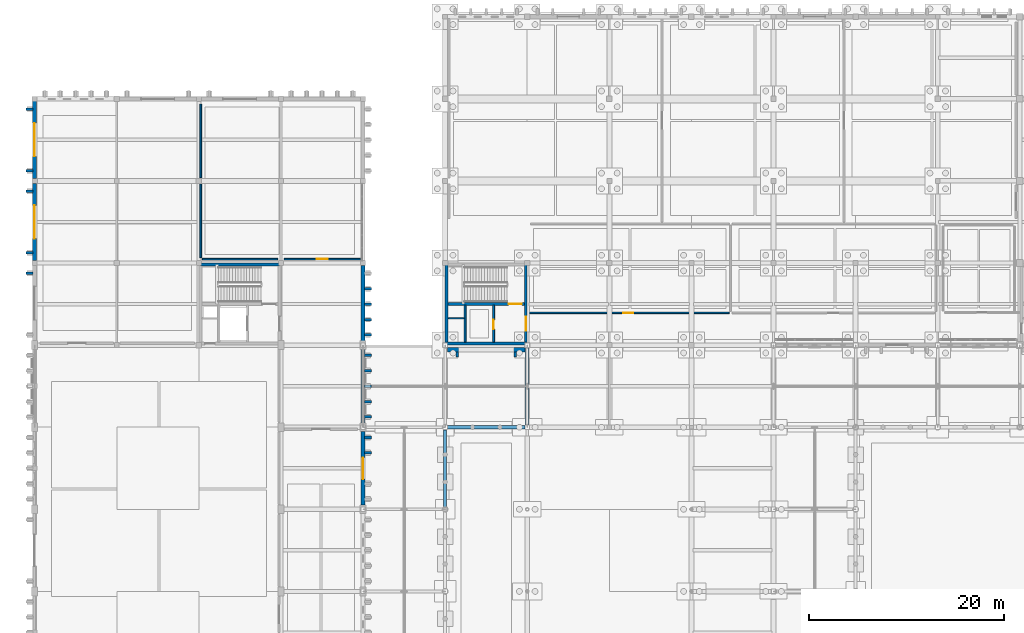
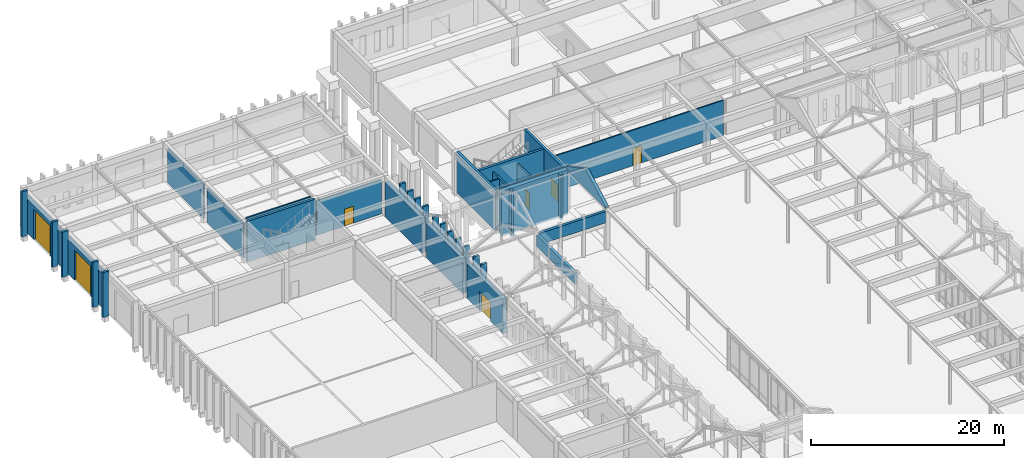
# One storey, part 116 of 143: 40 walls, 8 doors, 8 openings.
"""IFC4 building model written with IfcOpenShell, lengths in metres."""

from ifc_helpers import new_model, si_unit, direction, frame, frame_2d, origin, place, context, subcontext, project, spatial, polyline, rectangle, outline, extrude, material, layer, layer_set, type_object, element, fill, save


model = new_model("IFC4")

# Units and contexts
model_context = context("Model", 3, precision=1e-05, world=origin(), true_north=direction((0.0, 1.0)))
body_context = subcontext(model_context, "Body", "Model", "MODEL_VIEW")
ifc_project = project(units=[si_unit("LENGTHUNIT", "METRE"), si_unit("AREAUNIT", "SQUARE_METRE"), si_unit("VOLUMEUNIT", "CUBIC_METRE"), si_unit("PLANEANGLEUNIT", "RADIAN"), si_unit("MASSUNIT", "GRAM", prefix="KILO")], contexts=[model_context])

# Site, building, storey
site_placement = place(None, origin())
site = spatial("IfcSite", under=ifc_project, at=site_placement, CompositionType="ELEMENT")
building_placement = place(site_placement, origin())
building = spatial("IfcBuilding", under=site, at=building_placement, Name="Kveldsbrygga Polytechnic", CompositionType="ELEMENT")
storey_placement = place(building_placement, origin())
storey = spatial("IfcBuildingStorey", under=building, at=storey_placement, Name="L00", CompositionType="ELEMENT", Elevation=0.0)

# Walls
ifc_material_1 = material(Name="Fired clay brick masonry M10", Category="masonry")
ifc_layer_1 = layer(ifc_material_1, 0.320068359375)
ifc_layer_set_1 = layer_set([ifc_layer_1], Name="Fired clay brick masonry M10")
wall_type_1 = type_object("IfcWallType", Name="EW-ARC-320", PredefinedType="SOLIDWALL", material=ifc_layer_set_1)
wall_1_placement = place(storey_placement, frame((42.260009765625, 75.60009765625, 3.455078125), z_axis=(0.0, 0.0, 1.0), x_axis=(1.0, 0.0, 0.0)))
element("IfcWall", 1, at=wall_1_placement, inside=storey, type_object=wall_type_1, Name="Cloister Arcade Brick Arch Header ARC-HDR-02", PredefinedType="SOLIDWALL", context=body_context, shape_type="SweptSolid", body=[
    extrude(rectangle(XDim=7.9150390625, YDim=0.320068359375, at=frame_2d((3.95751953125, 0.0))), origin(), (0.0, 0.0, 1.0), 1.4248046875),
])
wall_2_placement = place(storey_placement, frame((42.0, 67.39501953125, 3.455078125), z_axis=(0.0, 0.0, 1.0), x_axis=(0.0, 1.0, 0.0)))
element("IfcWall", 2, at=wall_2_placement, inside=storey, type_object=wall_type_1, Name="Cloister Arcade Brick Arch Header ARC-HDR-07", PredefinedType="SOLIDWALL", context=body_context, shape_type="SweptSolid", body=[
    extrude(rectangle(XDim=7.945068359375, YDim=0.320068359375, at=frame_2d((3.97265625, 0.0))), origin(), (0.0, 0.0, 1.0), 1.4248046875),
])
ifc_layer_2 = layer(ifc_material_1, 0.47998046875)
ifc_layer_set_2 = layer_set([ifc_layer_2], Name="Fired clay brick masonry M10")
wall_type_2 = type_object("IfcWallType", Name="EW-BAST-480", PredefinedType="SOLIDWALL", material=ifc_layer_set_2)
wall_3_placement = place(storey_placement, frame((42.239990234375, 83.52001953125, -0.25), z_axis=(0.0, 0.0, 1.0), x_axis=(1.0, 0.0, 0.0)))
element("IfcWall", 3, at=wall_3_placement, inside=storey, type_object=wall_type_2, Name="Corner Stair Bastion Wall BAST-L00-X-05-10", PredefinedType="SOLIDWALL", context=body_context, shape_type="SweptSolid", body=[
    extrude(rectangle(XDim=7.919921875, YDim=0.47998046875, at=frame_2d((3.9599609375, 0.0))), origin(), (0.0, 0.0, 1.0), 5.68994140625),
])

# Wall, opening, door
ifc_layer_3 = layer(ifc_material_1, 0.419921875)
ifc_layer_set_3 = layer_set([ifc_layer_3], Name="Fired clay brick masonry M10")
wall_type_3 = type_object("IfcWallType", Name="EW-BRICK-420", PredefinedType="SOLIDWALL", material=ifc_layer_set_3)
wall_4_placement = place(storey_placement, frame((0.0, 92.64501953125, 0.0), z_axis=(0.0, 0.0, 1.0), x_axis=(0.0, 1.0, 0.0)))
wall_4 = element("IfcWall", 4, at=wall_4_placement, inside=storey, type_object=wall_type_3, Name="Exterior Brick Wall EW-L00-Y-00-11", PredefinedType="SOLIDWALL", context=body_context, shape_type="SweptSolid", body=[
    extrude(rectangle(XDim=7.89501953125, YDim=0.419921875, at=frame_2d((3.947509765625, 0.0))), origin(), (0.0, 0.0, 1.0), 4.35009765625),
])
opening_1_placement = place(wall_4_placement, frame((2.24755859375, 0.0, 0.0)))
opening_1 = element("IfcOpeningElement", 5, at=opening_1_placement, cuts=wall_4, Name="Opening WG-04", PredefinedType="OPENING", context=body_context, shape_type="SweptSolid", body=[
    extrude(rectangle(XDim=3.39990234375, YDim=3.800048828125, at=frame_2d((1.699951171875, 1.89990234375))), frame((0.0, 0.219970703125, 0.0), z_axis=(0.0, -1.0, 0.0), x_axis=(1.0, 0.0, 0.0)), (0.0, 0.0, 1.0), 0.43994140625),
])
ifc_material_2 = material(Name="Anodised aluminium AW-6060", Category="aluminium")
door_type_1 = type_object("IfcDoorType", Name="GT-LOAD-340x380", OperationType="DOUBLE_DOOR_SINGLE_SWING", PredefinedType="GATE", material=ifc_material_2)
door_1_placement = place(opening_1_placement, origin())
door_1 = element("IfcDoor", 6, at=door_1_placement, inside=storey, type_object=door_type_1, Name="Workshop Industrial Gate WG-04", OperationType="DOUBLE_DOOR_SINGLE_SWING", OverallHeight=3.800048828125, OverallWidth=3.39990234375, PredefinedType="GATE", context=body_context, shape_type="SweptSolid", body=[
    extrude(rectangle(XDim=3.39990234375, YDim=3.800048828125, at=frame_2d((1.699951171875, 1.89990234375))), frame((0.0, 0.02490234375, 0.0), z_axis=(0.0, -1.0, 0.0), x_axis=(1.0, 0.0, 0.0)), (0.0, 0.0, 1.0), 0.050048828125),
])
fill(opening_1, door_1)

wall_5_placement = place(storey_placement, frame((0.0, 101.06005859375, 0.0), z_axis=(0.0, 0.0, 1.0), x_axis=(0.0, 1.0, 0.0)))
wall_5 = element("IfcWall", 7, at=wall_5_placement, inside=storey, type_object=wall_type_3, Name="Exterior Brick Wall EW-L00-Y-00-12", PredefinedType="SOLIDWALL", context=body_context, shape_type="SweptSolid", body=[
    extrude(rectangle(XDim=7.89501953125, YDim=0.419921875, at=frame_2d((3.947509765625, 0.0))), origin(), (0.0, 0.0, 1.0), 4.35009765625),
])
opening_2_placement = place(wall_5_placement, frame((2.24755859375, 0.0, 0.0)))
opening_2 = element("IfcOpeningElement", 8, at=opening_2_placement, cuts=wall_5, Name="Opening WG-05", PredefinedType="OPENING", context=body_context, shape_type="SweptSolid", body=[
    extrude(rectangle(XDim=3.39990234375, YDim=3.800048828125, at=frame_2d((1.699951171875, 1.89990234375))), frame((0.0, 0.219970703125, 0.0), z_axis=(0.0, -1.0, 0.0), x_axis=(1.0, 0.0, 0.0)), (0.0, 0.0, 1.0), 0.43994140625),
])
door_2_placement = place(opening_2_placement, origin())
door_2 = element("IfcDoor", 9, at=door_2_placement, inside=storey, type_object=door_type_1, Name="Workshop Industrial Gate WG-05", OperationType="DOUBLE_DOOR_SINGLE_SWING", OverallHeight=3.800048828125, OverallWidth=3.39990234375, PredefinedType="GATE", context=body_context, shape_type="SweptSolid", body=[
    extrude(rectangle(XDim=3.39990234375, YDim=3.800048828125, at=frame_2d((1.699951171875, 1.89990234375))), frame((0.0, 0.02490234375, 0.0), z_axis=(0.0, -1.0, 0.0), x_axis=(1.0, 0.0, 0.0)), (0.0, 0.0, 1.0), 0.050048828125),
])
fill(opening_2, door_2)

wall_6_placement = place(storey_placement, frame((33.60009765625, 67.635009765625, 0.0), z_axis=(0.0, 0.0, 1.0), x_axis=(0.0, 1.0, 0.0)))
wall_6 = element("IfcWall", 10, at=wall_6_placement, inside=storey, type_object=wall_type_3, Name="Exterior Brick Wall EW-L00-Y-04-08", PredefinedType="SOLIDWALL", context=body_context, shape_type="SweptSolid", body=[
    extrude(rectangle(XDim=7.530029296875, YDim=0.419921875, at=frame_2d((3.76513671875, 0.0))), origin(), (0.0, 0.0, 1.0), 4.35009765625),
])
opening_3_placement = place(wall_6_placement, frame((2.6650390625, 0.0, 0.0)))
opening_3 = element("IfcOpeningElement", 11, at=opening_3_placement, cuts=wall_6, Name="Opening ED-03", PredefinedType="OPENING", context=body_context, shape_type="SweptSolid", body=[
    extrude(rectangle(XDim=2.199951171875, YDim=2.39990234375, at=frame_2d((1.10009765625, 1.199951171875))), frame((0.0, 0.219970703125, 0.0), z_axis=(0.0, -1.0, 0.0), x_axis=(1.0, 0.0, 0.0)), (0.0, 0.0, 1.0), 0.43994140625),
])
door_type_2 = type_object("IfcDoorType", Name="ED-MAIN-220x240", OperationType="DOUBLE_DOOR_SINGLE_SWING", PredefinedType="DOOR", material=ifc_material_2)
door_3_placement = place(opening_3_placement, origin())
door_3 = element("IfcDoor", 12, at=door_3_placement, inside=storey, type_object=door_type_2, Name="Pedestrian Exit Door ED-03", OperationType="DOUBLE_DOOR_SINGLE_SWING", OverallHeight=2.39990234375, OverallWidth=2.199951171875, PredefinedType="DOOR", context=body_context, shape_type="SweptSolid", body=[
    extrude(rectangle(XDim=2.199951171875, YDim=2.39990234375, at=frame_2d((1.10009765625, 1.199951171875))), frame((0.0, 0.02490234375, 0.0), z_axis=(0.0, -1.0, 0.0), x_axis=(1.0, 0.0, 0.0)), (0.0, 0.0, 1.0), 0.050048828125),
])
fill(opening_3, door_3)

# Walls
wall_7_placement = place(storey_placement, frame((33.60009765625, 76.034912109375, 0.0), z_axis=(0.0, 0.0, 1.0), x_axis=(0.0, 1.0, 0.0)))
element("IfcWall", 13, at=wall_7_placement, inside=storey, type_object=wall_type_3, Name="Exterior Brick Wall EW-L00-Y-04-09", PredefinedType="SOLIDWALL", context=body_context, shape_type="SweptSolid", body=[
    extrude(rectangle(XDim=7.530029296875, YDim=0.419921875, at=frame_2d((3.76513671875, 0.0))), origin(), (0.0, 0.0, 1.0), 4.35009765625),
])
wall_8_placement = place(storey_placement, frame((33.60009765625, 84.43505859375, 0.0), z_axis=(0.0, 0.0, 1.0), x_axis=(0.0, 1.0, 0.0)))
element("IfcWall", 14, at=wall_8_placement, inside=storey, type_object=wall_type_3, Name="Exterior Brick Wall EW-L00-Y-04-10", PredefinedType="SOLIDWALL", context=body_context, shape_type="SweptSolid", body=[
    extrude(rectangle(XDim=7.719970703125, YDim=0.419921875, at=frame_2d((3.85986328125, 0.0))), origin(), (0.0, 0.0, 1.0), 4.35009765625),
])
ifc_layer_4 = layer(ifc_material_1, 0.260009765625)
ifc_layer_set_4 = layer_set([ifc_layer_4], Name="Fired clay brick masonry M10")
wall_type_4 = type_object("IfcWallType", Name="EW-BUTT-260", PredefinedType="SOLIDWALL", material=ifc_layer_set_4)
for number, where, z_axis, x_axis, name in (
    (15, (-0.1650390625, 91.35009765625, -0.25), (0.0, 0.0, 1.0), (-1.0, 0.0, 0.0), "Gothic Brick Buttress Pier BUTT-L00-Y-00-10-5"),
    (16, (-0.1650390625, 93.449951171875, -0.25), (0.0, 0.0, 1.0), (-1.0, 0.0, 0.0), "Gothic Brick Buttress Pier BUTT-L00-Y-00-11-1"),
    (17, (-0.1650390625, 99.75, -0.25), (0.0, 0.0, 1.0), (-1.0, 0.0, 0.0), "Gothic Brick Buttress Pier BUTT-L00-Y-00-11-5"),
    (18, (-0.1650390625, 101.85009765625, -0.25), (0.0, 0.0, 1.0), (-1.0, 0.0, 0.0), "Gothic Brick Buttress Pier BUTT-L00-Y-00-12-1"),
    (19, (-0.1650390625, 108.14990234375, -0.25), (0.0, 0.0, 1.0), (-1.0, 0.0, 0.0), "Gothic Brick Buttress Pier BUTT-L00-Y-00-12-5"),
):
    element("IfcWall", number, at=place(storey_placement, frame(where, z_axis=z_axis, x_axis=x_axis)), inside=storey, type_object=wall_type_4, Name=name, PredefinedType="SOLIDWALL", context=body_context, shape_type="SweptSolid", body=[
        extrude(rectangle(XDim=0.699951171875, YDim=0.260009765625, at=frame_2d((0.35009765625, 0.0))), origin(), (0.0, 0.0, 1.0), 5.68994140625),
    ])
for number, where, z_axis, x_axis, name in (
    (20, (33.764892578125, 72.97998046875, -0.25), (0.0, 0.0, 1.0), (1.0, 0.0, 0.0), "Gothic Brick Buttress Pier BUTT-L00-Y-04-08-4"),
    (21, (33.764892578125, 74.550048828125, -0.25), (0.0, 0.0, 1.0), (1.0, 0.0, 0.0), "Gothic Brick Buttress Pier BUTT-L00-Y-04-08-5"),
    (22, (33.764892578125, 76.64990234375, -0.25), (0.0, 0.0, 1.0), (1.0, 0.0, 0.0), "Gothic Brick Buttress Pier BUTT-L00-Y-04-09-1"),
    (23, (33.764892578125, 78.219970703125, -0.25), (0.0, 0.0, 1.0), (1.0, 0.0, 0.0), "Gothic Brick Buttress Pier BUTT-L00-Y-04-09-2"),
    (24, (33.764892578125, 79.800048828125, -0.25), (0.0, 0.0, 1.0), (1.0, 0.0, 0.0), "Gothic Brick Buttress Pier BUTT-L00-Y-04-09-3"),
    (25, (33.764892578125, 81.3798828125, -0.25), (0.0, 0.0, 1.0), (1.0, 0.0, 0.0), "Gothic Brick Buttress Pier BUTT-L00-Y-04-09-4"),
    (26, (33.764892578125, 82.949951171875, -0.25), (0.0, 0.0, 1.0), (1.0, 0.0, 0.0), "Gothic Brick Buttress Pier BUTT-L00-Y-04-09-5"),
    (27, (33.764892578125, 85.050048828125, -0.25), (0.0, 0.0, 1.0), (1.0, 0.0, 0.0), "Gothic Brick Buttress Pier BUTT-L00-Y-04-10-1"),
    (28, (33.764892578125, 86.6201171875, -0.25), (0.0, 0.0, 1.0), (1.0, 0.0, 0.0), "Gothic Brick Buttress Pier BUTT-L00-Y-04-10-2"),
    (29, (33.764892578125, 88.199951171875, -0.25), (0.0, 0.0, 1.0), (1.0, 0.0, 0.0), "Gothic Brick Buttress Pier BUTT-L00-Y-04-10-3"),
    (30, (33.764892578125, 89.780029296875, -0.25), (0.0, 0.0, 1.0), (1.0, 0.0, 0.0), "Gothic Brick Buttress Pier BUTT-L00-Y-04-10-4"),
):
    element("IfcWall", number, at=place(storey_placement, frame(where, z_axis=z_axis, x_axis=x_axis)), inside=storey, type_object=wall_type_4, Name=name, PredefinedType="SOLIDWALL", context=body_context, shape_type="SweptSolid", body=[
        extrude(rectangle(XDim=0.7001953125, YDim=0.260009765625, at=frame_2d((0.35009765625, 0.0))), origin(), (0.0, 0.0, 1.0), 5.68994140625),
    ])
for number, where, z_axis, x_axis, name in (
    (31, (43.25, 83.300048828125, -0.320068359375), (0.0, 0.0, 1.0), (0.0, -1.0, 0.0), "Gothic Brick Buttress Pier BCLAS-L00-X-05-10-1"),
    (32, (49.14990234375, 83.300048828125, -0.320068359375), (0.0, 0.0, 1.0), (0.0, -1.0, 0.0), "Gothic Brick Buttress Pier BCLAS-L00-X-05-10-2"),
):
    element("IfcWall", number, at=place(storey_placement, frame(where, z_axis=z_axis, x_axis=x_axis)), inside=storey, type_object=wall_type_4, Name=name, PredefinedType="SOLIDWALL", context=body_context, shape_type="SweptSolid", body=[
        extrude(rectangle(XDim=0.52001953125, YDim=0.260009765625, at=frame_2d((0.260009765625, 0.0))), origin(), (0.0, 0.0, 1.0), 5.760009765625),
    ])
ifc_layer_5 = layer(ifc_material_1, 0.35009765625)
ifc_layer_set_5 = layer_set([ifc_layer_5], Name="Fired clay brick masonry M10")
wall_type_5 = type_object("IfcWallType", Name="EW-GABLE-350", PredefinedType="SOLIDWALL", material=ifc_layer_set_5)
wall_9_placement = place(storey_placement, frame((50.39990234375, 75.60009765625, 5.14501953125), z_axis=(0.0, 0.0, 1.0), x_axis=(0.0, 1.0, 0.0)))
element("IfcWall", 33, at=wall_9_placement, inside=storey, type_object=wall_type_5, Name="Brick Gable Tympanum GBL-ARC-WN-B", PredefinedType="SOLIDWALL", context=body_context, shape_type="SweptSolid", body=[
    extrude(outline(polyline([(0.0, 0.0), (8.39990234375, 0.0), (8.39990234375, 0.25), (4.199951171875, 2.48876953125), (0.0, 0.25), (0.0, 0.0)])), frame((0.0, 0.175048828125, 0.0), z_axis=(0.0, -1.0, 0.0), x_axis=(1.0, 0.0, 0.0)), (0.0, 0.0, 1.0), 0.35009765625),
])
ifc_material_3 = material(Name="Moisture-resistant masonry M10", Category="masonry")
ifc_layer_6 = layer(ifc_material_3, 0.1298828125)
ifc_layer_set_6 = layer_set([ifc_layer_6], Name="Moisture-resistant masonry M10")
wall_type_6 = type_object("IfcWallType", Name="IW-SAN-130", PredefinedType="PARTITIONING", material=ifc_layer_set_6)
wall_10_placement = place(storey_placement, frame((42.320068359375, 86.739990234375, 0.0), z_axis=(0.0, 0.0, 1.0), x_axis=(1.0, 0.0, 0.0)))
element("IfcWall", 34, at=wall_10_placement, inside=storey, type_object=wall_type_6, Name="Core AWC Divider C7-L00-W-RSR", PredefinedType="PARTITIONING", context=body_context, shape_type="SweptSolid", body=[
    extrude(rectangle(XDim=1.619873046875, YDim=0.1298828125, at=frame_2d((0.81005859375, 0.0))), origin(), (0.0, 0.0, 1.0), 4.389892578125),
])

# Wall, opening, door
ifc_material_4 = material(Name="Gypsum acoustic stud partition")
ifc_layer_7 = layer(ifc_material_4, 0.14990234375)
ifc_layer_set_7 = layer_set([ifc_layer_7], Name="Gypsum acoustic stud partition")
wall_type_7 = type_object("IfcWallType", Name="IW-SEM-150", PredefinedType="PARTITIONING", material=ifc_layer_set_7)
wall_11_placement = place(storey_placement, frame((50.429931640625, 87.300048828125, 0.0), z_axis=(0.0, 0.0, 1.0), x_axis=(1.0, 0.0, 0.0)))
wall_11 = element("IfcWall", 35, at=wall_11_placement, inside=storey, type_object=wall_type_7, Name="Partition Wall IW-SP-L00-SEM01-S1", PredefinedType="PARTITIONING", context=body_context, shape_type="SweptSolid", body=[
    extrude(rectangle(XDim=20.6201171875, YDim=0.14990234375, at=frame_2d((10.31005859375, 0.0))), origin(), (0.0, 0.0, 1.0), 4.489990234375),
])
opening_4_placement = place(wall_11_placement, frame((9.784912109375, 0.0, 0.0)))
opening_4 = element("IfcOpeningElement", 36, at=opening_4_placement, cuts=wall_11, Name="Opening ID-L00-025", PredefinedType="OPENING", context=body_context, shape_type="SweptSolid", body=[
    extrude(rectangle(XDim=1.050048828125, YDim=2.14990234375, at=frame_2d((0.52490234375, 1.074951171875))), frame((0.0, 0.0849609375, 0.0), z_axis=(0.0, -1.0, 0.0), x_axis=(1.0, 0.0, 0.0)), (0.0, 0.0, 1.0), 0.169921875),
])
ifc_material_5 = material(Name="Acoustic oak timber", Category="wood")
door_type_3 = type_object("IfcDoorType", Name="ID-SEM-105x215", OperationType="NOTDEFINED", PredefinedType="DOOR", material=ifc_material_5)
door_4_placement = place(opening_4_placement, origin())
door_4 = element("IfcDoor", 37, at=door_4_placement, inside=storey, type_object=door_type_3, Name="Interior Door ID-L00-025", OperationType="SINGLE_SWING_RIGHT", OverallHeight=2.14990234375, OverallWidth=1.050048828125, PredefinedType="DOOR", context=body_context, shape_type="SweptSolid", body=[
    extrude(rectangle(XDim=1.050048828125, YDim=2.14990234375, at=frame_2d((0.52490234375, 1.074951171875))), frame((0.0, 0.02490234375, 0.0), z_axis=(0.0, -1.0, 0.0), x_axis=(1.0, 0.0, 0.0)), (0.0, 0.0, 1.0), 0.050048828125),
])
fill(opening_4, door_4)

# Wall
ifc_layer_8 = layer(ifc_material_1, 0.169921875)
ifc_layer_set_8 = layer_set([ifc_layer_8], Name="Fired clay brick masonry M10")
wall_type_8 = type_object("IfcWallType", Name="IW-STR-170", PredefinedType="PARTITIONING", material=ifc_layer_set_8)
wall_12_placement = place(storey_placement, frame((17.14990234375, 92.800048828125, 0.0), z_axis=(0.0, 0.0, 1.0), x_axis=(1.0, 0.0, 0.0)))
element("IfcWall", 38, at=wall_12_placement, inside=storey, type_object=wall_type_8, Name="Partition Wall IW-SP-L00-WKSTOR-S1", PredefinedType="PARTITIONING", context=body_context, shape_type="SweptSolid", body=[
    extrude(rectangle(XDim=7.715087890625, YDim=0.169921875, at=frame_2d((3.857421875, 0.0))), origin(), (0.0, 0.0, 1.0), 5.139892578125),
])

# Wall, opening, door
wall_13_placement = place(storey_placement, frame((25.534912109375, 92.800048828125, 0.0), z_axis=(0.0, 0.0, 1.0), x_axis=(1.0, 0.0, 0.0)))
wall_13 = element("IfcWall", 39, at=wall_13_placement, inside=storey, type_object=wall_type_8, Name="Partition Wall IW-SP-L00-WKSTOR-S2", PredefinedType="PARTITIONING", context=body_context, shape_type="SweptSolid", body=[
    extrude(rectangle(XDim=7.78515625, YDim=0.169921875, at=frame_2d((3.892578125, 0.0))), origin(), (0.0, 0.0, 1.0), 4.35009765625),
])
opening_5_placement = place(wall_13_placement, frame((3.342529296875, 0.0, 0.0)))
opening_5 = element("IfcOpeningElement", 40, at=opening_5_placement, cuts=wall_13, Name="Opening ID-L00-020", PredefinedType="OPENING", context=body_context, shape_type="SweptSolid", body=[
    extrude(rectangle(XDim=1.10009765625, YDim=2.14990234375, at=frame_2d((0.550048828125, 1.074951171875))), frame((0.0, 0.094970703125, 0.0), z_axis=(0.0, -1.0, 0.0), x_axis=(1.0, 0.0, 0.0)), (0.0, 0.0, 1.0), 0.18994140625),
])
ifc_material_6 = material(Name="Powder-coated galvanised steel", Category="steel")
door_type_4 = type_object("IfcDoorType", Name="ID-STK-110x215", OperationType="NOTDEFINED", PredefinedType="DOOR", material=ifc_material_6)
door_5_placement = place(opening_5_placement, origin())
door_5 = element("IfcDoor", 41, at=door_5_placement, inside=storey, type_object=door_type_4, Name="Interior Door ID-L00-020", OperationType="SINGLE_SWING_RIGHT", OverallHeight=2.14990234375, OverallWidth=1.10009765625, PredefinedType="DOOR", context=body_context, shape_type="SweptSolid", body=[
    extrude(rectangle(XDim=1.10009765625, YDim=2.14990234375, at=frame_2d((0.550048828125, 1.074951171875))), frame((0.0, 0.02490234375, 0.0), z_axis=(0.0, -1.0, 0.0), x_axis=(1.0, 0.0, 0.0)), (0.0, 0.0, 1.0), 0.050048828125),
])
fill(opening_5, door_5)

# Walls
wall_14_placement = place(storey_placement, frame((17.0, 92.949951171875, 0.0), z_axis=(0.0, 0.0, 1.0), x_axis=(0.0, 1.0, 0.0)))
element("IfcWall", 42, at=wall_14_placement, inside=storey, type_object=wall_type_8, Name="Partition Wall IW-SP-L00-WKSTOR-W1", PredefinedType="PARTITIONING", context=body_context, shape_type="SweptSolid", body=[
    extrude(rectangle(XDim=7.51513671875, YDim=0.169921875, at=frame_2d((3.757568359375, 0.0))), origin(), (0.0, 0.0, 1.0), 4.320068359375),
])
wall_15_placement = place(storey_placement, frame((17.0, 101.135009765625, 0.0), z_axis=(0.0, 0.0, 1.0), x_axis=(0.0, 1.0, 0.0)))
element("IfcWall", 43, at=wall_15_placement, inside=storey, type_object=wall_type_8, Name="Partition Wall IW-SP-L00-WKSTOR-W2", PredefinedType="PARTITIONING", context=body_context, shape_type="SweptSolid", body=[
    extrude(rectangle(XDim=7.514892578125, YDim=0.169921875, at=frame_2d((3.75732421875, 0.0))), origin(), (0.0, 0.0, 1.0), 4.320068359375),
])
ifc_material_7 = material(Name="Concrete C45/55", Category="concrete")
ifc_layer_9 = layer(ifc_material_7, 0.300048828125)
ifc_layer_set_9 = layer_set([ifc_layer_9], Name="Concrete C45/55")
wall_type_9 = type_object("IfcWallType", Name="WL-CORE-300", PredefinedType="SHEAR", material=ifc_layer_set_9)
for number, where, z_axis, x_axis, name in (
    (44, (42.14990234375, 84.14990234375, 0.0), (0.0, 0.0, 1.0), (1.0, 0.0, 0.0), "Core C7 Shear Wall C7-L00-SW-S"),
    (45, (42.14990234375, 84.14990234375, 0.0), (0.0, 0.0, 1.0), (0.0, 1.0, 0.0), "Core C7 Shear Wall C7-L00-SW-W"),
):
    element("IfcWall", number, at=place(storey_placement, frame(where, z_axis=z_axis, x_axis=x_axis)), inside=storey, type_object=wall_type_9, Name=name, PredefinedType="SHEAR", context=body_context, shape_type="SweptSolid", body=[
        extrude(rectangle(XDim=8.10009765625, YDim=0.300048828125, at=frame_2d((4.050048828125, 0.0))), origin(), (0.0, 0.0, 1.0), 5.139892578125),
    ])

# Wall, opening, door
wall_16_placement = place(storey_placement, frame((50.25, 84.14990234375, 0.0), z_axis=(0.0, 0.0, 1.0), x_axis=(0.0, 1.0, 0.0)))
wall_16 = element("IfcWall", 46, at=wall_16_placement, inside=storey, type_object=wall_type_9, Name="Core C7 Shear Wall C7-L00-SW-E", PredefinedType="SHEAR", context=body_context, shape_type="SweptSolid", body=[
    extrude(rectangle(XDim=8.10009765625, YDim=0.300048828125, at=frame_2d((4.050048828125, 0.0))), origin(), (0.0, 0.0, 1.0), 5.139892578125),
])
opening_6_placement = place(wall_16_placement, frame((1.324951171875, 0.0, 0.0)))
opening_6 = element("IfcOpeningElement", 47, at=opening_6_placement, cuts=wall_16, Name="Opening FD-C7-L00-LOB", PredefinedType="OPENING", context=body_context, shape_type="SweptSolid", body=[
    extrude(rectangle(XDim=1.449951171875, YDim=2.14990234375, at=frame_2d((0.72509765625, 1.074951171875))), frame((0.0, 0.16015625, 0.0), z_axis=(0.0, -1.0, 0.0), x_axis=(1.0, 0.0, 0.0)), (0.0, 0.0, 1.0), 0.320068359375),
])
door_type_5 = type_object("IfcDoorType", Name="ID-LOBBY-145x215", OperationType="DOUBLE_DOOR_SINGLE_SWING", PredefinedType="DOOR", material=ifc_material_6)
door_6_placement = place(opening_6_placement, origin())
door_6 = element("IfcDoor", 48, at=door_6_placement, inside=storey, type_object=door_type_5, Name="Core Lobby Fire Door FD-C7-L00-LOB", OperationType="DOUBLE_DOOR_SINGLE_SWING", OverallHeight=2.14990234375, OverallWidth=1.449951171875, PredefinedType="DOOR", context=body_context, shape_type="SweptSolid", body=[
    extrude(rectangle(XDim=1.449951171875, YDim=2.14990234375, at=frame_2d((0.72509765625, 1.074951171875))), frame((0.0, 0.02490234375, 0.0), z_axis=(0.0, -1.0, 0.0), x_axis=(1.0, 0.0, 0.0)), (0.0, 0.0, 1.0), 0.050048828125),
])
fill(opening_6, door_6)

wall_17_placement = place(storey_placement, frame((42.300048828125, 88.22998046875, 0.0), z_axis=(0.0, 0.0, 1.0), x_axis=(1.0, 0.0, 0.0)))
wall_17 = element("IfcWall", 49, at=wall_17_placement, inside=storey, type_object=wall_type_9, Name="Core C7 Shear Wall C7-L00-W-DIV", PredefinedType="SHEAR", context=body_context, shape_type="SweptSolid", body=[
    extrude(rectangle(XDim=7.800048828125, YDim=0.300048828125, at=frame_2d((3.89990234375, 0.0))), origin(), (0.0, 0.0, 1.0), 5.139892578125),
])
opening_7_placement = place(wall_17_placement, frame((6.199951171875, 0.0, 0.0)))
opening_7 = element("IfcOpeningElement", 50, at=opening_7_placement, cuts=wall_17, Name="Opening FD-C7-L00-ST", PredefinedType="OPENING", context=body_context, shape_type="SweptSolid", body=[
    extrude(rectangle(XDim=1.35009765625, YDim=2.14990234375, at=frame_2d((0.675048828125, 1.074951171875))), frame((0.0, 0.16015625, 0.0), z_axis=(0.0, -1.0, 0.0), x_axis=(1.0, 0.0, 0.0)), (0.0, 0.0, 1.0), 0.320068359375),
])
door_type_6 = type_object("IfcDoorType", Name="ID-STAIR-135x215", OperationType="NOTDEFINED", PredefinedType="DOOR", material=ifc_material_6)
door_7_placement = place(opening_7_placement, origin())
door_7 = element("IfcDoor", 51, at=door_7_placement, inside=storey, type_object=door_type_6, Name="Stair Fire Door FD-C7-L00-ST", OperationType="SINGLE_SWING_RIGHT", OverallHeight=2.14990234375, OverallWidth=1.35009765625, PredefinedType="DOOR", context=body_context, shape_type="SweptSolid", body=[
    extrude(rectangle(XDim=1.35009765625, YDim=2.14990234375, at=frame_2d((0.675048828125, 1.074951171875))), frame((0.0, 0.02490234375, 0.0), z_axis=(0.0, -1.0, 0.0), x_axis=(1.0, 0.0, 0.0)), (0.0, 0.0, 1.0), 0.050048828125),
])
fill(opening_7, door_7)

# Wall
wall_18_placement = place(storey_placement, frame((16.949951171875, 92.25, 0.0), z_axis=(0.0, 0.0, 1.0), x_axis=(1.0, 0.0, 0.0)))
element("IfcWall", 52, at=wall_18_placement, inside=storey, type_object=wall_type_9, Name="Core C8 Shear Wall C8-L00-SW-N", PredefinedType="SHEAR", context=body_context, shape_type="SweptSolid", body=[
    extrude(rectangle(XDim=8.10009765625, YDim=0.300048828125, at=frame_2d((4.050048828125, 0.0))), origin(), (0.0, 0.0, 1.0), 5.139892578125),
])

# Wall, opening, door
ifc_material_8 = material(Name="Concrete C35/45", Category="concrete")
ifc_layer_10 = layer(ifc_material_8, 0.199951171875)
ifc_layer_set_10 = layer_set([ifc_layer_10], Name="Concrete C35/45")
wall_type_10 = type_object("IfcWallType", Name="WL-SHFT-200", PredefinedType="SHEAR", material=ifc_layer_set_10)
wall_19_placement = place(storey_placement, frame((46.9599609375, 84.300048828125, 0.0), z_axis=(0.0, 0.0, 1.0), x_axis=(0.0, 1.0, 0.0)))
wall_19 = element("IfcWall", 53, at=wall_19_placement, inside=storey, type_object=wall_type_10, Name="Lift Front Wall C7-L00-W-LFR", PredefinedType="SHEAR", context=body_context, shape_type="SweptSolid", body=[
    extrude(rectangle(XDim=3.800048828125, YDim=0.199951171875, at=frame_2d((1.89990234375, 0.0))), origin(), (0.0, 0.0, 1.0), 4.39990234375),
])
opening_8_placement = place(wall_19_placement, frame((1.35009765625, 0.0, 0.0)))
opening_8 = element("IfcOpeningElement", 54, at=opening_8_placement, cuts=wall_19, Name="Opening ID-C7-L00-STR", PredefinedType="OPENING", context=body_context, shape_type="SweptSolid", body=[
    extrude(rectangle(XDim=0.949951171875, YDim=2.10009765625, at=frame_2d((0.47509765625, 1.050048828125))), frame((0.0, 0.10986328125, 0.0), z_axis=(0.0, -1.0, 0.0), x_axis=(1.0, 0.0, 0.0)), (0.0, 0.0, 1.0), 0.219970703125),
])
door_type_7 = type_object("IfcDoorType", Name="ID-OFF-095x210", OperationType="NOTDEFINED", PredefinedType="DOOR", material=ifc_material_5)
door_8_placement = place(opening_8_placement, origin())
door_8 = element("IfcDoor", 55, at=door_8_placement, inside=storey, type_object=door_type_7, Name="Cleaner Store Door ID-C7-L00-STR", OperationType="SINGLE_SWING_LEFT", OverallHeight=2.10009765625, OverallWidth=0.949951171875, PredefinedType="DOOR", context=body_context, shape_type="SweptSolid", body=[
    extrude(rectangle(XDim=0.949951171875, YDim=2.10009765625, at=frame_2d((0.47509765625, 1.050048828125))), frame((0.0, 0.02490234375, 0.0), z_axis=(0.0, -1.0, 0.0), x_axis=(1.0, 0.0, 0.0)), (0.0, 0.0, 1.0), 0.050048828125),
])
fill(opening_8, door_8)

# Wall
wall_20_placement = place(storey_placement, frame((44.0400390625, 84.300048828125, 0.0), z_axis=(0.0, 0.0, 1.0), x_axis=(0.0, 1.0, 0.0)))
element("IfcWall", 56, at=wall_20_placement, inside=storey, type_object=wall_type_10, Name="Lift Back Wall C7-L00-W-LBK", PredefinedType="SHEAR", context=body_context, shape_type="SweptSolid", body=[
    extrude(rectangle(XDim=3.800048828125, YDim=0.199951171875, at=frame_2d((1.89990234375, 0.0))), origin(), (0.0, 0.0, 1.0), 4.39990234375),
])

save(model, "model.ifc")
